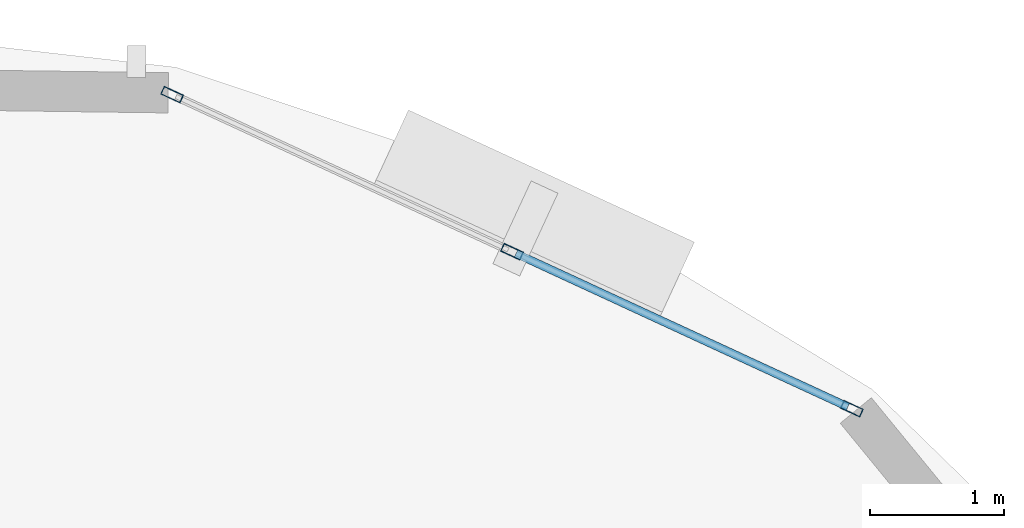
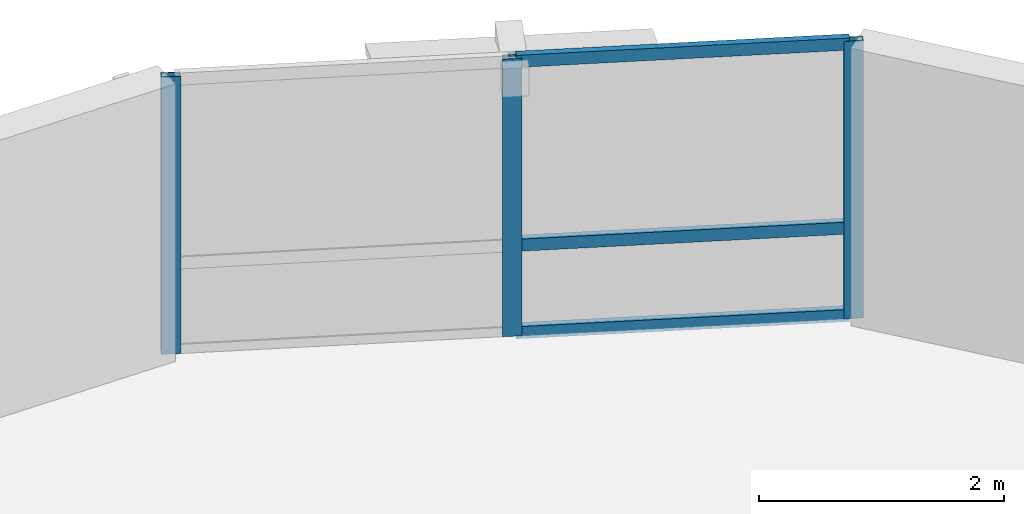
# One storey, part 5 of 11: 6 members, 1 element without a shape of its own.
"""IFC4 building model written with IfcOpenShell, lengths in metres."""

import ifcopenshell
import ifcopenshell.guid

model = None  # the IFC model being written
_history = None  # IfcOwnerHistory: only IFC2X3 demands one
_inside = {}  # id of a spatial element -> (the spatial element, [elements in it])
_under = {}  # id of a project, library or spatial element -> (it, [spatial elements below it])
_declared = {}  # id of a project -> (the project, [libraries it declares])
_typed = {}  # id of a type object -> (the type object, [elements of that type])
_made_of = {}  # id of a material, layer set ... -> (it, [elements and type objects made of it])


def new_model(schema):
    """Start an empty IFC model of exactly this schema.

    Asked for "IFC4X3", IfcOpenShell would pick the latest addendum, in which some entities
    have other attributes; the version numbers below select the first issue.
    IFC2X3 requires an IfcOwnerHistory on every rooted entity: one is made here for all.
    """
    global model, _history
    if schema == "IFC4X3":
        model = ifcopenshell.file(schema_version=(4, 3, 0, 0))
    else:
        model = ifcopenshell.file(schema=schema)
    _inside.clear()
    _under.clear()
    _declared.clear()
    _typed.clear()
    _made_of.clear()
    _history = None
    if model.schema == "IFC2X3":
        org = make("IfcOrganization", Name="unknown")
        user = make(
            "IfcPersonAndOrganization",
            ThePerson=make("IfcPerson", FamilyName="unknown"),
            TheOrganization=org,
        )
        app = make(
            "IfcApplication",
            ApplicationDeveloper=org,
            Version="unknown",
            ApplicationFullName="unknown",
            ApplicationIdentifier="unknown",
        )
        _history = make(
            "IfcOwnerHistory",
            OwningUser=user,
            OwningApplication=app,
            ChangeAction="ADDED",
            CreationDate=0,
        )
    return model


def make(cls, **values):
    """One entity of the class cls with the attributes given. An attribute that is None is left unset."""
    return model.create_entity(
        cls, **{name: value for name, value in values.items() if value is not None}
    )


def rooted(cls, **values):
    """An entity with a GlobalId (a new one), such as an element, a storey or a relation."""
    return make(cls, GlobalId=ifcopenshell.guid.new(), OwnerHistory=_history, **values)


def si_unit(unit_type, name, prefix=None):
    """IfcSIUnit, for example si_unit("LENGTHUNIT", "METRE", prefix="MILLI")."""
    return make("IfcSIUnit", UnitType=unit_type, Prefix=prefix, Name=name)


def assignment(units):
    """IfcUnitAssignment: the units of a project."""
    return None if units is None else make("IfcUnitAssignment", Units=units)


def point(xyz):
    """IfcCartesianPoint."""
    return None if xyz is None else make("IfcCartesianPoint", Coordinates=xyz)


def direction(xyz):
    """IfcDirection."""
    return None if xyz is None else make("IfcDirection", DirectionRatios=xyz)


def frame(location, z_axis=None, x_axis=None):
    """IfcAxis2Placement3D, a coordinate frame: its origin and axes. An axis left out is left unset."""
    return make(
        "IfcAxis2Placement3D",
        Location=point(location),
        Axis=direction(z_axis),
        RefDirection=direction(x_axis),
    )


def frame_2d(location, x_axis=None):
    """IfcAxis2Placement2D, a coordinate frame in the plane: its origin and x axis."""
    return make(
        "IfcAxis2Placement2D", Location=point(location), RefDirection=direction(x_axis)
    )


def origin():
    """The frame at (0, 0, 0) with its axes left unset."""
    return frame((0.0, 0.0, 0.0))


def origin_2d():
    """The frame at (0, 0) in the plane with its x axis left unset."""
    return frame_2d((0.0, 0.0))


def place(relative_to, where):
    """IfcLocalPlacement: puts the frame where relative to a parent placement (None: the world)."""
    return make(
        "IfcLocalPlacement", PlacementRelTo=relative_to, RelativePlacement=where
    )


def context(
    kind, dimensions, precision=None, world=None, true_north=None, identifier=None
):
    """IfcGeometricRepresentationContext, for example the 3D "Model" context."""
    return make(
        "IfcGeometricRepresentationContext",
        ContextIdentifier=identifier,
        ContextType=kind,
        CoordinateSpaceDimension=dimensions,
        Precision=precision,
        WorldCoordinateSystem=world,
        TrueNorth=true_north,
    )


def subcontext(parent, identifier, kind, view, scale=None):
    """IfcGeometricRepresentationSubContext, for example "Body" below "Model"."""
    return make(
        "IfcGeometricRepresentationSubContext",
        ContextIdentifier=identifier,
        ContextType=kind,
        ParentContext=parent,
        TargetScale=scale,
        TargetView=view,
    )


def project(units=None, contexts=None):
    """IfcProject with its units and contexts."""
    return rooted(
        "IfcProject",
        Name="project",
        RepresentationContexts=contexts,
        UnitsInContext=assignment(units),
    )


def spatial(cls, under=None, at=None, **own):
    """A site, building, storey or space (cls), placed at a placement, below another one or the project."""
    s = rooted(cls, ObjectPlacement=at, **own)
    if under is not None:
        _under.setdefault(under.id(), (under, []))[1].append(s)
    return s


def profile(cls, at=None, kind="AREA", **sizes):
    """A parametric profile (cls). Its sizes go by their IFC names, for example OverallWidth=200.0."""
    return make(cls, ProfileType=kind, Position=at, **sizes)


def hollow_rectangle(**sizes):
    """IfcRectangleHollowProfileDef."""
    return profile("IfcRectangleHollowProfileDef", **sizes)


def extrude(swept, where, along, depth):
    """IfcExtrudedAreaSolid: the profile swept, set in the frame where, extruded along a direction by depth."""
    return make(
        "IfcExtrudedAreaSolid",
        SweptArea=swept,
        Position=where,
        ExtrudedDirection=direction(along),
        Depth=depth,
    )


def shape(context_of_items, identifier, shape_type, items):
    """IfcShapeRepresentation: the items that make up one representation, for example the "Body"."""
    return make(
        "IfcShapeRepresentation",
        ContextOfItems=context_of_items,
        RepresentationIdentifier=identifier,
        RepresentationType=shape_type,
        Items=items,
    )


def material(Name=None, Category=None):
    """IfcMaterial."""
    return make("IfcMaterial", Name=Name, Category=Category)


def layer(
    of_material, thickness, ventilated=None, Name=None, Category=None, Priority=None
):
    """IfcMaterialLayer: one layer of a wall or slab, of a material (None: an air gap)."""
    return make(
        "IfcMaterialLayer",
        Material=of_material,
        LayerThickness=thickness,
        IsVentilated=ventilated,
        Name=Name,
        Category=Category,
        Priority=Priority,
    )


def layer_set(layers, Name=None):
    """IfcMaterialLayerSet."""
    return make("IfcMaterialLayerSet", MaterialLayers=layers, LayerSetName=Name)


def material_profile(
    of_material, cross_section, Name=None, Category=None, Priority=None
):
    """IfcMaterialProfile: a cross section and its material."""
    return make(
        "IfcMaterialProfile",
        Name=Name,
        Material=of_material,
        Profile=cross_section,
        Priority=Priority,
        Category=Category,
    )


def profile_set(profiles, Name=None, composite=None):
    """IfcMaterialProfileSet."""
    return make(
        "IfcMaterialProfileSet",
        Name=Name,
        MaterialProfiles=profiles,
        CompositeProfile=composite,
    )


def made_of(thing, what):
    """Note that an element or type object is made of a material, layer set ...; save() writes the relation."""
    if what is not None:
        _made_of.setdefault(what.id(), (what, []))[1].append(thing)
    return thing


def type_object(cls, material=None, **own):
    """A type object (cls), such as IfcWallType, which elements share."""
    return made_of(rooted(cls, **own), material)


def element(
    cls,
    number,
    at=None,
    inside=None,
    cuts=None,
    type_object=None,
    material=None,
    context=None,
    identifier="Body",
    shape_type=None,
    held_by="IfcProductDefinitionShape",
    body=None,
    shapes=None,
    **own,
):
    """One element of the class cls, such as IfcWall. Its Tag is "e" and its number.

    at: its placement. inside: the storey or other place that contains it. cuts: it is an
    opening in that element (IfcRelVoidsElement). A single representation is given by context,
    identifier, shape_type and body (its items); several are given by shapes. held_by: the class
    of the entity that holds the representations. save() writes the other relations.
    """
    e = rooted(cls, Tag="e%d" % number, ObjectPlacement=at, **own)
    if body is not None:
        shapes = [shape(context, identifier, shape_type, body)]
    if shapes is not None:
        e.Representation = make(held_by, Representations=shapes)
    if inside is not None:
        _inside.setdefault(inside.id(), (inside, []))[1].append(e)
    if cuts is not None:
        rooted(
            "IfcRelVoidsElement", RelatingBuildingElement=cuts, RelatedOpeningElement=e
        )
    if type_object is not None:
        _typed.setdefault(type_object.id(), (type_object, []))[1].append(e)
    return made_of(e, material)


def aggregate(whole, parts):
    """IfcRelAggregates: a whole, such as a stair, and the parts it consists of."""
    return rooted("IfcRelAggregates", RelatingObject=whole, RelatedObjects=parts)


def save(model, path):
    """Write the relations noted so far, then the file.

    IfcRelAggregates (storeys below a building ...), IfcRelContainedInSpatialStructure (elements
    in a storey), IfcRelDefinesByType, IfcRelAssociatesMaterial and IfcRelDeclares: one each for
    every whole, place, type object, material and project.
    """
    for whole, parts in _under.values():
        aggregate(whole, parts)
    for where, things in _inside.values():
        rooted(
            "IfcRelContainedInSpatialStructure",
            RelatedElements=things,
            RelatingStructure=where,
        )
    for kind, things in _typed.values():
        rooted("IfcRelDefinesByType", RelatedObjects=things, RelatingType=kind)
    for what, things in _made_of.values():
        rooted("IfcRelAssociatesMaterial", RelatedObjects=things, RelatingMaterial=what)
    for by, libraries in _declared.values():
        rooted("IfcRelDeclares", RelatingContext=by, RelatedDefinitions=libraries)
    model.write(path)


model = new_model("IFC4")

# Units and contexts
model_context = context("Model", 3, precision=1e-05, world=origin(), true_north=direction((0.0, 1.0)))
body_context = subcontext(model_context, "Body", "Model", "MODEL_VIEW")
ifc_project = project(units=[si_unit("LENGTHUNIT", "METRE"), si_unit("AREAUNIT", "SQUARE_METRE"), si_unit("VOLUMEUNIT", "CUBIC_METRE"), si_unit("PLANEANGLEUNIT", "RADIAN"), si_unit("MASSUNIT", "GRAM", prefix="KILO"), si_unit("THERMODYNAMICTEMPERATUREUNIT", "KELVIN"), si_unit("POWERUNIT", "WATT")], contexts=[model_context])

# Site, building, storey
site_placement = place(None, origin())
site = spatial("IfcSite", under=ifc_project, at=site_placement, CompositionType="ELEMENT")
building_placement = place(site_placement, origin())
building = spatial("IfcBuilding", under=site, at=building_placement, Name="Ocrelia Relay Tower", CompositionType="ELEMENT")
storey_placement = place(building_placement, frame((0.0, 0.0, 248.39990234375)))
storey = spatial("IfcBuildingStorey", under=building, at=storey_placement, Name="L61", CompositionType="ELEMENT", Elevation=248.39990234375)

# Curtain wall, members
ifc_material_1 = material(Name="Aluminium and solar-control low-E glass", Category="aluminium")
ifc_layer = layer(ifc_material_1, 0.179931640625, Name="Aluminium and solar-control low-E glass")
ifc_layer_set = layer_set([ifc_layer], Name="Aluminium and solar-control low-E glass")
curtain_wall_type = type_object("IfcCurtainWallType", Name="CW-SYS-Z4-EXEC", PredefinedType="NOTDEFINED", material=ifc_layer_set)
curtain_wall_placement = place(storey_placement, origin())
curtain_wall = element("IfcCurtainWall", 1, at=curtain_wall_placement, inside=storey, type_object=curtain_wall_type, Name="L61 Elliptical Tower Curtain Wall Bay 01", PredefinedType="NOTDEFINED")
ifc_material_2 = material(Name="Anodised bronze aluminium", Category="aluminium")
ifc_material_profile_1 = material_profile(ifc_material_2, hollow_rectangle(XDim=0.06494140625, YDim=0.159912109375, WallThickness=0.0048828125, at=origin_2d()), Name="CW-MUL-160x65")
ifc_profile_set_1 = profile_set([ifc_material_profile_1], Name="Anodised bronze aluminium")
member_type_1 = type_object("IfcMemberType", Name="CW-SYS-Z4-EXEC-MUL", PredefinedType="MULLION", material=ifc_profile_set_1)
member_1_placement = place(storey_placement, frame((46.8271484375, 42.6181640625, 0.0), z_axis=(0.0, 0.0, 1.0), x_axis=(-0.41941280088, -0.907795628133, 0.0)))
member_1 = element("IfcMember", 2, at=member_1_placement, type_object=member_type_1, Name="CW-Z4 mullion 1", PredefinedType="MULLION", context=body_context, shape_type="SweptSolid", body=[
    extrude(hollow_rectangle(XDim=0.06494140625, YDim=0.159912109375, WallThickness=0.0048828125, at=origin_2d()), origin(), (0.0, 0.0, 1.0), 2.760009765625),
])
member_2_placement = place(storey_placement, frame((44.2919921875, 43.789306640625, 0.0), z_axis=(0.0, 0.0, 1.0), x_axis=(-0.41941280088, -0.907795628133, 0.0)))
member_2 = element("IfcMember", 3, at=member_2_placement, type_object=member_type_1, Name="CW-Z4 mullion 2", PredefinedType="MULLION", context=body_context, shape_type="SweptSolid", body=[
    extrude(hollow_rectangle(XDim=0.06494140625, YDim=0.159912109375, WallThickness=0.0048828125, at=origin_2d()), origin(), (0.0, 0.0, 1.0), 2.760009765625),
])
member_3_placement = place(storey_placement, frame((41.7568359375, 44.960693359375, 0.0), z_axis=(0.0, 0.0, 1.0), x_axis=(-0.41941280088, -0.907795628133, 0.0)))
member_3 = element("IfcMember", 4, at=member_3_placement, type_object=member_type_1, Name="CW-Z4 mullion 3", PredefinedType="MULLION", context=body_context, shape_type="SweptSolid", body=[
    extrude(hollow_rectangle(XDim=0.06494140625, YDim=0.159912109375, WallThickness=0.0048828125, at=origin_2d()), origin(), (0.0, 0.0, 1.0), 2.760009765625),
])
ifc_material_profile_2 = material_profile(ifc_material_2, hollow_rectangle(XDim=0.06005859375, YDim=0.1201171875, WallThickness=0.0048828125, at=origin_2d()), Name="CW-TRN-120x60")
ifc_profile_set_2 = profile_set([ifc_material_profile_2], Name="Anodised bronze aluminium")
member_type_2 = type_object("IfcMemberType", Name="CW-SYS-Z4-EXEC-TRN", PredefinedType="USERDEFINED", material=ifc_profile_set_2)
member_4_placement = place(storey_placement, frame((46.797607421875, 42.6318359375, 0.030029296875), z_axis=(-0.907786404668, 0.419432763979, 0.0), x_axis=(-0.419432763979, -0.907786404668, 0.0)))
member_4 = element("IfcMember", 5, at=member_4_placement, type_object=member_type_2, Name="CW-Z4 transom 1.1", ObjectType="TRANSOM", PredefinedType="USERDEFINED", context=body_context, shape_type="SweptSolid", body=[
    extrude(hollow_rectangle(XDim=0.06005859375, YDim=0.1201171875, WallThickness=0.0048828125, at=origin_2d()), origin(), (0.0, 0.0, 1.0), 2.7275390625),
])
member_5_placement = place(storey_placement, frame((46.797607421875, 42.6318359375, 0.900146484375), z_axis=(-0.907786404668, 0.419432763979, 0.0), x_axis=(-0.419432763979, -0.907786404668, 0.0)))
member_5 = element("IfcMember", 6, at=member_5_placement, type_object=member_type_2, Name="CW-Z4 transom 1.2", ObjectType="TRANSOM", PredefinedType="USERDEFINED", context=body_context, shape_type="SweptSolid", body=[
    extrude(hollow_rectangle(XDim=0.06005859375, YDim=0.1201171875, WallThickness=0.0048828125, at=origin_2d()), origin(), (0.0, 0.0, 1.0), 2.7275390625),
])
member_6_placement = place(storey_placement, frame((46.797607421875, 42.6318359375, 2.72998046875), z_axis=(-0.907786404668, 0.419432763979, 0.0), x_axis=(-0.419432763979, -0.907786404668, 0.0)))
member_6 = element("IfcMember", 7, at=member_6_placement, type_object=member_type_2, Name="CW-Z4 transom 1.3", ObjectType="TRANSOM", PredefinedType="USERDEFINED", context=body_context, shape_type="SweptSolid", body=[
    extrude(hollow_rectangle(XDim=0.06005859375, YDim=0.1201171875, WallThickness=0.0048828125, at=origin_2d()), origin(), (0.0, 0.0, 1.0), 2.7275390625),
])
aggregate(curtain_wall, [member_1, member_2, member_3, member_4, member_5, member_6])

save(model, "model.ifc")
